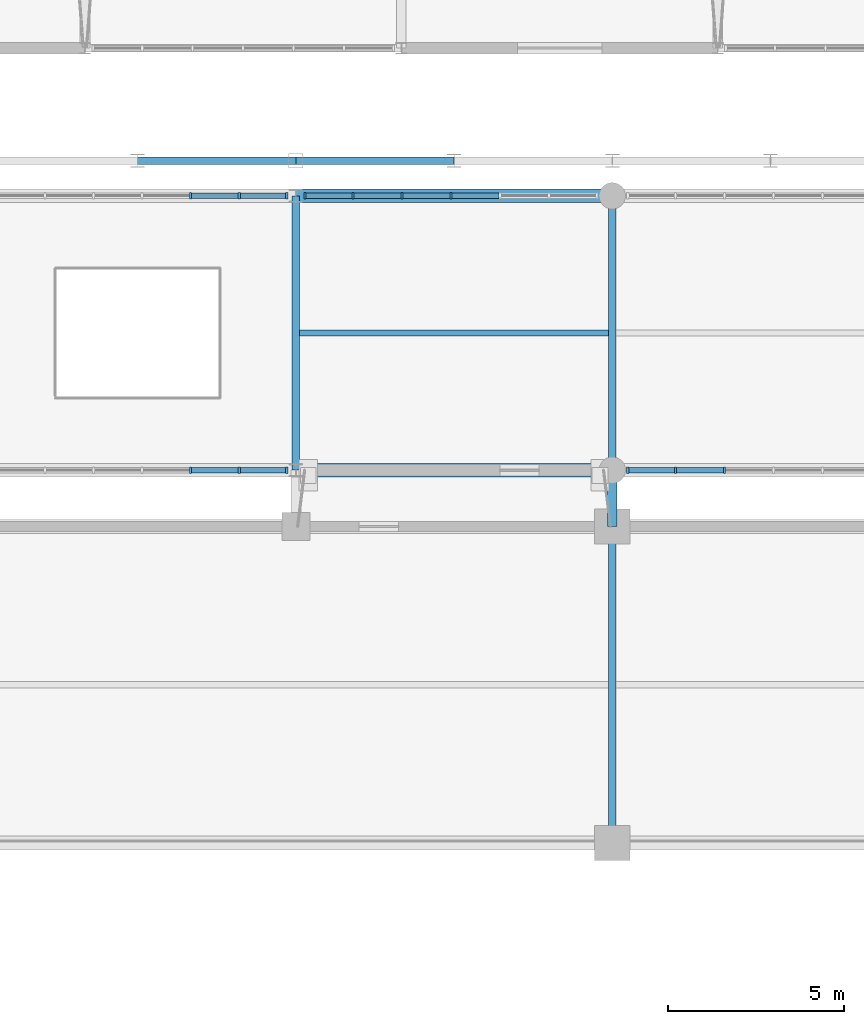
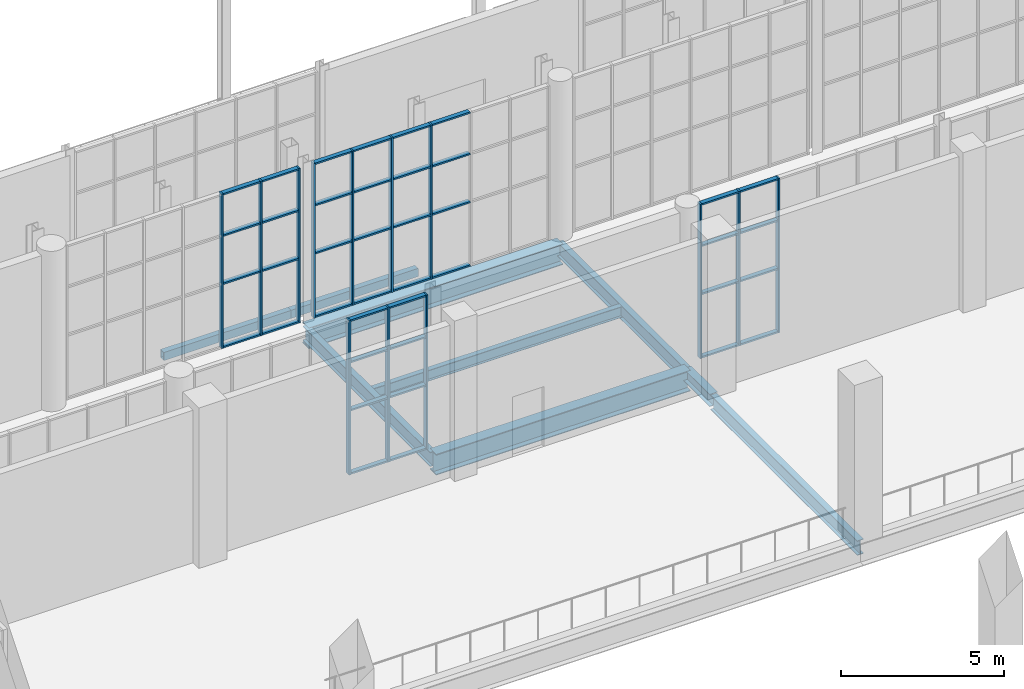
# One storey, part 43 of 159: 53 members, 9 beams, 4 elements without a shape of their own.
"""IFC4 building model written with IfcOpenShell, lengths in metres."""

from ifc_helpers import new_model, si_unit, direction, frame, origin, origin_2d, place, context, subcontext, project, spatial, rectangle, hollow_rectangle, i_section, extrude, material, layer, layer_set, material_profile, profile_set, type_object, element, aggregate, save


model = new_model("IFC4")

# Units and contexts
model_context = context("Model", 3, precision=1e-05, world=origin(), true_north=direction((0.0, 1.0)))
body_context = subcontext(model_context, "Body", "Model", "MODEL_VIEW")
ifc_project = project(units=[si_unit("LENGTHUNIT", "METRE"), si_unit("AREAUNIT", "SQUARE_METRE"), si_unit("VOLUMEUNIT", "CUBIC_METRE"), si_unit("PLANEANGLEUNIT", "RADIAN"), si_unit("MASSUNIT", "GRAM", prefix="KILO")], contexts=[model_context])

# Site, building, storey
site_placement = place(None, origin())
site = spatial("IfcSite", under=ifc_project, at=site_placement, CompositionType="ELEMENT")
building_placement = place(site_placement, origin())
building = spatial("IfcBuilding", under=site, at=building_placement, Name="Cazmaro Siding Exhibition Halls", CompositionType="ELEMENT")
storey_placement = place(building_placement, frame((0.0, 0.0, 6.0)))
storey = spatial("IfcBuildingStorey", under=building, at=storey_placement, Name="L01", CompositionType="ELEMENT", Elevation=6.0)

# Beams
ifc_material_1 = material(Name="Steel ASTM A992 Grade 50", Category="steel")
ifc_material_profile_1 = material_profile(ifc_material_1, i_section(OverallWidth=0.214111328125, OverallDepth=0.549072265625, WebThickness=0.014892578125, FlangeThickness=0.02392578125, at=origin_2d()), Name="W21X93")
ifc_profile_set_1 = profile_set([ifc_material_profile_1], Name="Steel ASTM A992 Grade 50")
beam_type_1 = type_object("IfcBeamType", Name="B-01", PredefinedType="BEAM", material=ifc_profile_set_1)
beam_1_placement = place(storey_placement, frame((108.0, 44.60009765625, -0.52392578125), z_axis=(0.0, 1.0, 0.0), x_axis=(-1.0, 0.0, 0.0)))
element("IfcBeam", 1, at=beam_1_placement, inside=storey, type_object=beam_type_1, Name="Beam B-01 BM-1281", PredefinedType="BEAM", context=body_context, shape_type="SweptSolid", body=[
    extrude(i_section(OverallWidth=0.214111328125, OverallDepth=0.549072265625, WebThickness=0.014892578125, FlangeThickness=0.02392578125, at=origin_2d()), origin(), (0.0, 0.0, 1.0), 9.0),
])
ifc_material_2 = material(Name="Steel ASTM A992 Grade 50", Category="steel")
ifc_material_profile_2 = material_profile(ifc_material_2, i_section(OverallWidth=0.2099609375, OverallDepth=0.535888671875, WebThickness=0.010986328125, FlangeThickness=0.01708984375, at=origin_2d()), Name="W21X68")
ifc_profile_set_2 = profile_set([ifc_material_profile_2], Name="Steel ASTM A992 Grade 50")
beam_type_2 = type_object("IfcBeamType", Name="B-02", PredefinedType="BEAM", material=ifc_profile_set_2)
for number, where, z_axis, x_axis, name in (
    (2, (99.0, 55.199951171875, -0.488037109375), (0.0, 1.0, 0.0), (-1.0, 0.0, 0.0), "Beam B-02 BM-1705"),
    (3, (108.0, 55.199951171875, -0.488037109375), (0.0, 1.0, 0.0), (-1.0, 0.0, 0.0), "Beam B-02 BM-1708"),
):
    element("IfcBeam", number, at=place(storey_placement, frame(where, z_axis=z_axis, x_axis=x_axis)), inside=storey, type_object=beam_type_2, Name=name, PredefinedType="BEAM", context=body_context, shape_type="SweptSolid", body=[
        extrude(i_section(OverallWidth=0.2099609375, OverallDepth=0.535888671875, WebThickness=0.010986328125, FlangeThickness=0.01708984375, at=origin_2d()), origin(), (0.0, 0.0, 1.0), 7.800048828125),
    ])
ifc_material_3 = material(Name="Steel ASTM A992 Grade 50", Category="steel")
ifc_material_profile_3 = material_profile(ifc_material_3, i_section(OverallWidth=0.279052734375, OverallDepth=0.4619140625, WebThickness=0.010986328125, FlangeThickness=0.01708984375, at=origin_2d()), Name="W18X76")
ifc_profile_set_3 = profile_set([ifc_material_profile_3], Name="Steel ASTM A992 Grade 50")
beam_type_3 = type_object("IfcBeamType", Name="B-03", PredefinedType="BEAM", material=ifc_profile_set_3)
beam_2_placement = place(storey_placement, frame((108.0, 53.60009765625, -0.450927734375), z_axis=(0.0, 1.0, 0.0), x_axis=(-1.0, 0.0, 0.0)))
element("IfcBeam", 4, at=beam_2_placement, inside=storey, type_object=beam_type_3, Name="Beam B-03 BM-2527", PredefinedType="BEAM", context=body_context, shape_type="SweptSolid", body=[
    extrude(i_section(OverallWidth=0.279052734375, OverallDepth=0.4619140625, WebThickness=0.010986328125, FlangeThickness=0.01708984375, at=origin_2d()), origin(), (0.0, 0.0, 1.0), 1.599853515625),
])

# Curtain wall, members
ifc_material_4 = material(Name="Anodized Bronze Aluminum and Solar-Control Low-E Glazing", Category="aluminium")
ifc_layer = layer(ifc_material_4, 0.179931640625)
ifc_layer_set = layer_set([ifc_layer], Name="Anodized Bronze Aluminum and Solar-Control Low-E Glazing")
curtain_wall_type = type_object("IfcCurtainWallType", Name="CWS-01", PredefinedType="USERDEFINED", material=ifc_layer_set)
curtain_wall_1_placement = place(storey_placement, origin())
curtain_wall_1 = element("IfcCurtainWall", 5, at=curtain_wall_1_placement, inside=storey, type_object=curtain_wall_type, Name="Glazed Curtain Wall CWS-01 CW-172", ObjectType="GLAZED CURTAIN WALL", PredefinedType="USERDEFINED")
ifc_material_5 = material(Name="Anodized Bronze Extruded Aluminum", Category="aluminium")
ifc_material_profile_4 = material_profile(ifc_material_5, rectangle(XDim=0.179931640625, YDim=0.06005859375, at=origin_2d()), Name="CWM-01")
ifc_profile_set_4 = profile_set([ifc_material_profile_4], Name="Anodized Bronze Extruded Aluminum")
member_type_1 = type_object("IfcMemberType", Name="CWM-01", PredefinedType="MULLION", material=ifc_profile_set_4)
member_1_placement = place(storey_placement, frame((96.007568359375, 55.199951171875, 0.0), z_axis=(0.0, 0.0, 1.0), x_axis=(0.0, 1.0, 0.0)))
member_1 = element("IfcMember", 6, at=member_1_placement, type_object=member_type_1, Name="CWS-01 mullion 5", PredefinedType="MULLION", context=body_context, shape_type="SweptSolid", body=[
    extrude(rectangle(XDim=0.179931640625, YDim=0.06005859375, at=origin_2d()), origin(), (0.0, 0.0, 1.0), 5.780029296875),
])
member_2_placement = place(storey_placement, frame((97.388916015625, 55.199951171875, 0.0), z_axis=(0.0, 0.0, 1.0), x_axis=(0.0, 1.0, 0.0)))
member_2 = element("IfcMember", 7, at=member_2_placement, type_object=member_type_1, Name="CWS-01 mullion 6", PredefinedType="MULLION", context=body_context, shape_type="SweptSolid", body=[
    extrude(rectangle(XDim=0.179931640625, YDim=0.06005859375, at=origin_2d()), origin(), (0.0, 0.0, 1.0), 5.780029296875),
])
member_3_placement = place(storey_placement, frame((98.739990234375, 55.199951171875, 0.0), z_axis=(0.0, 0.0, 1.0), x_axis=(0.0, 1.0, 0.0)))
member_3 = element("IfcMember", 8, at=member_3_placement, type_object=member_type_1, Name="CWS-01 mullion 7", PredefinedType="MULLION", context=body_context, shape_type="SweptSolid", body=[
    extrude(rectangle(XDim=0.179931640625, YDim=0.06005859375, at=origin_2d()), origin(), (0.0, 0.0, 1.0), 5.780029296875),
])

curtain_wall_2_placement = place(storey_placement, origin())
curtain_wall_2 = element("IfcCurtainWall", 9, at=curtain_wall_2_placement, inside=storey, type_object=curtain_wall_type, Name="Glazed Curtain Wall CWS-01 CW-174", ObjectType="GLAZED CURTAIN WALL", PredefinedType="USERDEFINED")
member_4_placement = place(storey_placement, frame((98.739990234375, 63.0, 0.0), z_axis=(0.0, 0.0, 1.0), x_axis=(0.0, -1.0, 0.0)))
member_4 = element("IfcMember", 10, at=member_4_placement, type_object=member_type_1, Name="CWS-01 mullion 1", PredefinedType="MULLION", context=body_context, shape_type="SweptSolid", body=[
    extrude(rectangle(XDim=0.179931640625, YDim=0.06005859375, at=origin_2d()), origin(), (0.0, 0.0, 1.0), 5.780029296875),
])
member_5_placement = place(storey_placement, frame((97.388916015625, 63.0, 0.0), z_axis=(0.0, 0.0, 1.0), x_axis=(0.0, -1.0, 0.0)))
member_5 = element("IfcMember", 11, at=member_5_placement, type_object=member_type_1, Name="CWS-01 mullion 2", PredefinedType="MULLION", context=body_context, shape_type="SweptSolid", body=[
    extrude(rectangle(XDim=0.179931640625, YDim=0.06005859375, at=origin_2d()), origin(), (0.0, 0.0, 1.0), 5.780029296875),
])
member_6_placement = place(storey_placement, frame((96.007568359375, 63.0, 0.0), z_axis=(0.0, 0.0, 1.0), x_axis=(0.0, -1.0, 0.0)))
member_6 = element("IfcMember", 12, at=member_6_placement, type_object=member_type_1, Name="CWS-01 mullion 3", PredefinedType="MULLION", context=body_context, shape_type="SweptSolid", body=[
    extrude(rectangle(XDim=0.179931640625, YDim=0.06005859375, at=origin_2d()), origin(), (0.0, 0.0, 1.0), 5.780029296875),
])

curtain_wall_3_placement = place(storey_placement, origin())
curtain_wall_3 = element("IfcCurtainWall", 13, at=curtain_wall_3_placement, inside=storey, type_object=curtain_wall_type, Name="Glazed Curtain Wall CWS-01 CW-177", ObjectType="GLAZED CURTAIN WALL", PredefinedType="USERDEFINED")
member_7_placement = place(storey_placement, frame((103.410888671875, 63.0, 0.0), z_axis=(0.0, 0.0, 1.0), x_axis=(0.0, -1.0, 0.0)))
member_7 = element("IfcMember", 14, at=member_7_placement, type_object=member_type_1, Name="CWS-01 mullion 4", PredefinedType="MULLION", context=body_context, shape_type="SweptSolid", body=[
    extrude(rectangle(XDim=0.179931640625, YDim=0.06005859375, at=origin_2d()), origin(), (0.0, 0.0, 1.0), 5.780029296875),
])
member_8_placement = place(storey_placement, frame((102.017333984375, 63.0, 0.0), z_axis=(0.0, 0.0, 1.0), x_axis=(0.0, -1.0, 0.0)))
member_8 = element("IfcMember", 15, at=member_8_placement, type_object=member_type_1, Name="CWS-01 mullion 5", PredefinedType="MULLION", context=body_context, shape_type="SweptSolid", body=[
    extrude(rectangle(XDim=0.179931640625, YDim=0.06005859375, at=origin_2d()), origin(), (0.0, 0.0, 1.0), 5.780029296875),
])
member_9_placement = place(storey_placement, frame((100.623779296875, 63.0, 0.0), z_axis=(0.0, 0.0, 1.0), x_axis=(0.0, -1.0, 0.0)))
member_9 = element("IfcMember", 16, at=member_9_placement, type_object=member_type_1, Name="CWS-01 mullion 6", PredefinedType="MULLION", context=body_context, shape_type="SweptSolid", body=[
    extrude(rectangle(XDim=0.179931640625, YDim=0.06005859375, at=origin_2d()), origin(), (0.0, 0.0, 1.0), 5.780029296875),
])
member_10_placement = place(storey_placement, frame((99.260009765625, 63.0, 0.0), z_axis=(0.0, 0.0, 1.0), x_axis=(0.0, -1.0, 0.0)))
member_10 = element("IfcMember", 17, at=member_10_placement, type_object=member_type_1, Name="CWS-01 mullion 7", PredefinedType="MULLION", context=body_context, shape_type="SweptSolid", body=[
    extrude(rectangle(XDim=0.179931640625, YDim=0.06005859375, at=origin_2d()), origin(), (0.0, 0.0, 1.0), 5.780029296875),
])

curtain_wall_4_placement = place(storey_placement, origin())
curtain_wall_4 = element("IfcCurtainWall", 18, at=curtain_wall_4_placement, inside=storey, type_object=curtain_wall_type, Name="Glazed Curtain Wall CWS-01 CW-181", ObjectType="GLAZED CURTAIN WALL", PredefinedType="USERDEFINED")
member_11_placement = place(storey_placement, frame((108.43798828125, 55.199951171875, 0.0), z_axis=(0.0, 0.0, 1.0), x_axis=(0.0, 1.0, 0.0)))
member_11 = element("IfcMember", 19, at=member_11_placement, type_object=member_type_1, Name="CWS-01 mullion 1", PredefinedType="MULLION", context=body_context, shape_type="SweptSolid", body=[
    extrude(rectangle(XDim=0.179931640625, YDim=0.06005859375, at=origin_2d()), origin(), (0.0, 0.0, 1.0), 5.780029296875),
])
member_12_placement = place(storey_placement, frame((109.8017578125, 55.199951171875, 0.0), z_axis=(0.0, 0.0, 1.0), x_axis=(0.0, 1.0, 0.0)))
member_12 = element("IfcMember", 20, at=member_12_placement, type_object=member_type_1, Name="CWS-01 mullion 2", PredefinedType="MULLION", context=body_context, shape_type="SweptSolid", body=[
    extrude(rectangle(XDim=0.179931640625, YDim=0.06005859375, at=origin_2d()), origin(), (0.0, 0.0, 1.0), 5.780029296875),
])
member_13_placement = place(storey_placement, frame((111.1953125, 55.199951171875, 0.0), z_axis=(0.0, 0.0, 1.0), x_axis=(0.0, 1.0, 0.0)))
member_13 = element("IfcMember", 21, at=member_13_placement, type_object=member_type_1, Name="CWS-01 mullion 3", PredefinedType="MULLION", context=body_context, shape_type="SweptSolid", body=[
    extrude(rectangle(XDim=0.179931640625, YDim=0.06005859375, at=origin_2d()), origin(), (0.0, 0.0, 1.0), 5.780029296875),
])

# Member
ifc_material_6 = material(Name="Anodized Bronze Extruded Aluminum", Category="aluminium")
ifc_material_profile_5 = material_profile(ifc_material_6, rectangle(XDim=0.159912109375, YDim=0.06005859375, at=origin_2d()), Name="CWT-01")
ifc_profile_set_5 = profile_set([ifc_material_profile_5], Name="Anodized Bronze Extruded Aluminum")
member_type_2 = type_object("IfcMemberType", Name="CWT-01", PredefinedType="MULLION", material=ifc_profile_set_5)
member_14_placement = place(storey_placement, frame((96.03759765625, 55.199951171875, 0.030029296875), z_axis=(1.0, 0.0, 0.0), x_axis=(0.0, 1.0, 0.0)))
member_14 = element("IfcMember", 22, at=member_14_placement, type_object=member_type_2, Name="CWS-01 transom 5.1", ObjectType="TRANSOM", PredefinedType="USERDEFINED", context=body_context, shape_type="SweptSolid", body=[
    extrude(rectangle(XDim=0.159912109375, YDim=0.06005859375, at=origin_2d()), origin(), (0.0, 0.0, 1.0), 1.3212890625),
])

member_15_placement = place(storey_placement, frame((96.03759765625, 55.199951171875, 2.39990234375), z_axis=(1.0, 0.0, 0.0), x_axis=(0.0, 1.0, 0.0)))
member_15 = element("IfcMember", 23, at=member_15_placement, type_object=member_type_2, Name="CWS-01 transom 5.2", ObjectType="TRANSOM", PredefinedType="USERDEFINED", context=body_context, shape_type="SweptSolid", body=[
    extrude(rectangle(XDim=0.159912109375, YDim=0.06005859375, at=origin_2d()), origin(), (0.0, 0.0, 1.0), 1.3212890625),
])

member_16_placement = place(storey_placement, frame((96.03759765625, 55.199951171875, 4.199951171875), z_axis=(1.0, 0.0, 0.0), x_axis=(0.0, 1.0, 0.0)))
member_16 = element("IfcMember", 24, at=member_16_placement, type_object=member_type_2, Name="CWS-01 transom 5.3", ObjectType="TRANSOM", PredefinedType="USERDEFINED", context=body_context, shape_type="SweptSolid", body=[
    extrude(rectangle(XDim=0.159912109375, YDim=0.06005859375, at=origin_2d()), origin(), (0.0, 0.0, 1.0), 1.3212890625),
])

member_17_placement = place(storey_placement, frame((96.03759765625, 55.199951171875, 5.75), z_axis=(1.0, 0.0, 0.0), x_axis=(0.0, 1.0, 0.0)))
member_17 = element("IfcMember", 25, at=member_17_placement, type_object=member_type_2, Name="CWS-01 transom 5.4", ObjectType="TRANSOM", PredefinedType="USERDEFINED", context=body_context, shape_type="SweptSolid", body=[
    extrude(rectangle(XDim=0.159912109375, YDim=0.06005859375, at=origin_2d()), origin(), (0.0, 0.0, 1.0), 1.3212890625),
])

member_18_placement = place(storey_placement, frame((97.4189453125, 55.199951171875, 0.030029296875), z_axis=(1.0, 0.0, 0.0), x_axis=(0.0, 1.0, 0.0)))
member_18 = element("IfcMember", 26, at=member_18_placement, type_object=member_type_2, Name="CWS-01 transom 6.1", ObjectType="TRANSOM", PredefinedType="USERDEFINED", context=body_context, shape_type="SweptSolid", body=[
    extrude(rectangle(XDim=0.159912109375, YDim=0.06005859375, at=origin_2d()), origin(), (0.0, 0.0, 1.0), 1.291015625),
])

member_19_placement = place(storey_placement, frame((97.4189453125, 55.199951171875, 2.39990234375), z_axis=(1.0, 0.0, 0.0), x_axis=(0.0, 1.0, 0.0)))
member_19 = element("IfcMember", 27, at=member_19_placement, type_object=member_type_2, Name="CWS-01 transom 6.2", ObjectType="TRANSOM", PredefinedType="USERDEFINED", context=body_context, shape_type="SweptSolid", body=[
    extrude(rectangle(XDim=0.159912109375, YDim=0.06005859375, at=origin_2d()), origin(), (0.0, 0.0, 1.0), 1.291015625),
])

member_20_placement = place(storey_placement, frame((97.4189453125, 55.199951171875, 4.199951171875), z_axis=(1.0, 0.0, 0.0), x_axis=(0.0, 1.0, 0.0)))
member_20 = element("IfcMember", 28, at=member_20_placement, type_object=member_type_2, Name="CWS-01 transom 6.3", ObjectType="TRANSOM", PredefinedType="USERDEFINED", context=body_context, shape_type="SweptSolid", body=[
    extrude(rectangle(XDim=0.159912109375, YDim=0.06005859375, at=origin_2d()), origin(), (0.0, 0.0, 1.0), 1.291015625),
])

member_21_placement = place(storey_placement, frame((97.4189453125, 55.199951171875, 5.75), z_axis=(1.0, 0.0, 0.0), x_axis=(0.0, 1.0, 0.0)))
member_21 = element("IfcMember", 29, at=member_21_placement, type_object=member_type_2, Name="CWS-01 transom 6.4", ObjectType="TRANSOM", PredefinedType="USERDEFINED", context=body_context, shape_type="SweptSolid", body=[
    extrude(rectangle(XDim=0.159912109375, YDim=0.06005859375, at=origin_2d()), origin(), (0.0, 0.0, 1.0), 1.291015625),
])

aggregate(curtain_wall_1, [member_1, member_2, member_3, member_14, member_15, member_16, member_17, member_18, member_19, member_20, member_21])

member_22_placement = place(storey_placement, frame((98.7099609375, 63.0, 0.030029296875), z_axis=(-1.0, 0.0, 0.0), x_axis=(0.0, -1.0, 0.0)))
member_22 = element("IfcMember", 30, at=member_22_placement, type_object=member_type_2, Name="CWS-01 transom 1.1", ObjectType="TRANSOM", PredefinedType="USERDEFINED", context=body_context, shape_type="SweptSolid", body=[
    extrude(rectangle(XDim=0.159912109375, YDim=0.06005859375, at=origin_2d()), origin(), (0.0, 0.0, 1.0), 1.291015625),
])

member_23_placement = place(storey_placement, frame((98.7099609375, 63.0, 2.39990234375), z_axis=(-1.0, 0.0, 0.0), x_axis=(0.0, -1.0, 0.0)))
member_23 = element("IfcMember", 31, at=member_23_placement, type_object=member_type_2, Name="CWS-01 transom 1.2", ObjectType="TRANSOM", PredefinedType="USERDEFINED", context=body_context, shape_type="SweptSolid", body=[
    extrude(rectangle(XDim=0.159912109375, YDim=0.06005859375, at=origin_2d()), origin(), (0.0, 0.0, 1.0), 1.291015625),
])

member_24_placement = place(storey_placement, frame((98.7099609375, 63.0, 4.199951171875), z_axis=(-1.0, 0.0, 0.0), x_axis=(0.0, -1.0, 0.0)))
member_24 = element("IfcMember", 32, at=member_24_placement, type_object=member_type_2, Name="CWS-01 transom 1.3", ObjectType="TRANSOM", PredefinedType="USERDEFINED", context=body_context, shape_type="SweptSolid", body=[
    extrude(rectangle(XDim=0.159912109375, YDim=0.06005859375, at=origin_2d()), origin(), (0.0, 0.0, 1.0), 1.291015625),
])

member_25_placement = place(storey_placement, frame((98.7099609375, 63.0, 5.75), z_axis=(-1.0, 0.0, 0.0), x_axis=(0.0, -1.0, 0.0)))
member_25 = element("IfcMember", 33, at=member_25_placement, type_object=member_type_2, Name="CWS-01 transom 1.4", ObjectType="TRANSOM", PredefinedType="USERDEFINED", context=body_context, shape_type="SweptSolid", body=[
    extrude(rectangle(XDim=0.159912109375, YDim=0.06005859375, at=origin_2d()), origin(), (0.0, 0.0, 1.0), 1.291015625),
])

member_26_placement = place(storey_placement, frame((97.35888671875, 63.0, 0.030029296875), z_axis=(-1.0, 0.0, 0.0), x_axis=(0.0, -1.0, 0.0)))
member_26 = element("IfcMember", 34, at=member_26_placement, type_object=member_type_2, Name="CWS-01 transom 2.1", ObjectType="TRANSOM", PredefinedType="USERDEFINED", context=body_context, shape_type="SweptSolid", body=[
    extrude(rectangle(XDim=0.159912109375, YDim=0.06005859375, at=origin_2d()), origin(), (0.0, 0.0, 1.0), 1.3212890625),
])

member_27_placement = place(storey_placement, frame((97.35888671875, 63.0, 2.39990234375), z_axis=(-1.0, 0.0, 0.0), x_axis=(0.0, -1.0, 0.0)))
member_27 = element("IfcMember", 35, at=member_27_placement, type_object=member_type_2, Name="CWS-01 transom 2.2", ObjectType="TRANSOM", PredefinedType="USERDEFINED", context=body_context, shape_type="SweptSolid", body=[
    extrude(rectangle(XDim=0.159912109375, YDim=0.06005859375, at=origin_2d()), origin(), (0.0, 0.0, 1.0), 1.3212890625),
])

member_28_placement = place(storey_placement, frame((97.35888671875, 63.0, 4.199951171875), z_axis=(-1.0, 0.0, 0.0), x_axis=(0.0, -1.0, 0.0)))
member_28 = element("IfcMember", 36, at=member_28_placement, type_object=member_type_2, Name="CWS-01 transom 2.3", ObjectType="TRANSOM", PredefinedType="USERDEFINED", context=body_context, shape_type="SweptSolid", body=[
    extrude(rectangle(XDim=0.159912109375, YDim=0.06005859375, at=origin_2d()), origin(), (0.0, 0.0, 1.0), 1.3212890625),
])

member_29_placement = place(storey_placement, frame((97.35888671875, 63.0, 5.75), z_axis=(-1.0, 0.0, 0.0), x_axis=(0.0, -1.0, 0.0)))
member_29 = element("IfcMember", 37, at=member_29_placement, type_object=member_type_2, Name="CWS-01 transom 2.4", ObjectType="TRANSOM", PredefinedType="USERDEFINED", context=body_context, shape_type="SweptSolid", body=[
    extrude(rectangle(XDim=0.159912109375, YDim=0.06005859375, at=origin_2d()), origin(), (0.0, 0.0, 1.0), 1.3212890625),
])

aggregate(curtain_wall_2, [member_4, member_5, member_6, member_22, member_23, member_24, member_25, member_26, member_27, member_28, member_29])

member_30_placement = place(storey_placement, frame((104.774658203125, 63.0, 0.030029296875), z_axis=(-1.0, 0.0, 0.0), x_axis=(0.0, -1.0, 0.0)))
member_30 = element("IfcMember", 38, at=member_30_placement, type_object=member_type_2, Name="CWS-01 transom 3.1", ObjectType="TRANSOM", PredefinedType="USERDEFINED", context=body_context, shape_type="SweptSolid", body=[
    extrude(rectangle(XDim=0.159912109375, YDim=0.06005859375, at=origin_2d()), origin(), (0.0, 0.0, 1.0), 1.333740234375),
])

member_31_placement = place(storey_placement, frame((104.774658203125, 63.0, 2.39990234375), z_axis=(-1.0, 0.0, 0.0), x_axis=(0.0, -1.0, 0.0)))
member_31 = element("IfcMember", 39, at=member_31_placement, type_object=member_type_2, Name="CWS-01 transom 3.2", ObjectType="TRANSOM", PredefinedType="USERDEFINED", context=body_context, shape_type="SweptSolid", body=[
    extrude(rectangle(XDim=0.159912109375, YDim=0.06005859375, at=origin_2d()), origin(), (0.0, 0.0, 1.0), 1.333740234375),
])

member_32_placement = place(storey_placement, frame((104.774658203125, 63.0, 4.199951171875), z_axis=(-1.0, 0.0, 0.0), x_axis=(0.0, -1.0, 0.0)))
member_32 = element("IfcMember", 40, at=member_32_placement, type_object=member_type_2, Name="CWS-01 transom 3.3", ObjectType="TRANSOM", PredefinedType="USERDEFINED", context=body_context, shape_type="SweptSolid", body=[
    extrude(rectangle(XDim=0.159912109375, YDim=0.06005859375, at=origin_2d()), origin(), (0.0, 0.0, 1.0), 1.333740234375),
])

member_33_placement = place(storey_placement, frame((104.774658203125, 63.0, 5.75), z_axis=(-1.0, 0.0, 0.0), x_axis=(0.0, -1.0, 0.0)))
member_33 = element("IfcMember", 41, at=member_33_placement, type_object=member_type_2, Name="CWS-01 transom 3.4", ObjectType="TRANSOM", PredefinedType="USERDEFINED", context=body_context, shape_type="SweptSolid", body=[
    extrude(rectangle(XDim=0.159912109375, YDim=0.06005859375, at=origin_2d()), origin(), (0.0, 0.0, 1.0), 1.333740234375),
])

member_34_placement = place(storey_placement, frame((103.381103515625, 63.0, 0.030029296875), z_axis=(-1.0, 0.0, 0.0), x_axis=(0.0, -1.0, 0.0)))
member_34 = element("IfcMember", 42, at=member_34_placement, type_object=member_type_2, Name="CWS-01 transom 4.1", ObjectType="TRANSOM", PredefinedType="USERDEFINED", context=body_context, shape_type="SweptSolid", body=[
    extrude(rectangle(XDim=0.159912109375, YDim=0.06005859375, at=origin_2d()), origin(), (0.0, 0.0, 1.0), 1.333740234375),
])

member_35_placement = place(storey_placement, frame((103.381103515625, 63.0, 2.39990234375), z_axis=(-1.0, 0.0, 0.0), x_axis=(0.0, -1.0, 0.0)))
member_35 = element("IfcMember", 43, at=member_35_placement, type_object=member_type_2, Name="CWS-01 transom 4.2", ObjectType="TRANSOM", PredefinedType="USERDEFINED", context=body_context, shape_type="SweptSolid", body=[
    extrude(rectangle(XDim=0.159912109375, YDim=0.06005859375, at=origin_2d()), origin(), (0.0, 0.0, 1.0), 1.333740234375),
])

member_36_placement = place(storey_placement, frame((103.381103515625, 63.0, 4.199951171875), z_axis=(-1.0, 0.0, 0.0), x_axis=(0.0, -1.0, 0.0)))
member_36 = element("IfcMember", 44, at=member_36_placement, type_object=member_type_2, Name="CWS-01 transom 4.3", ObjectType="TRANSOM", PredefinedType="USERDEFINED", context=body_context, shape_type="SweptSolid", body=[
    extrude(rectangle(XDim=0.159912109375, YDim=0.06005859375, at=origin_2d()), origin(), (0.0, 0.0, 1.0), 1.333740234375),
])

member_37_placement = place(storey_placement, frame((103.381103515625, 63.0, 5.75), z_axis=(-1.0, 0.0, 0.0), x_axis=(0.0, -1.0, 0.0)))
member_37 = element("IfcMember", 45, at=member_37_placement, type_object=member_type_2, Name="CWS-01 transom 4.4", ObjectType="TRANSOM", PredefinedType="USERDEFINED", context=body_context, shape_type="SweptSolid", body=[
    extrude(rectangle(XDim=0.159912109375, YDim=0.06005859375, at=origin_2d()), origin(), (0.0, 0.0, 1.0), 1.333740234375),
])

member_38_placement = place(storey_placement, frame((101.9873046875, 63.0, 0.030029296875), z_axis=(-1.0, 0.0, 0.0), x_axis=(0.0, -1.0, 0.0)))
member_38 = element("IfcMember", 46, at=member_38_placement, type_object=member_type_2, Name="CWS-01 transom 5.1", ObjectType="TRANSOM", PredefinedType="USERDEFINED", context=body_context, shape_type="SweptSolid", body=[
    extrude(rectangle(XDim=0.159912109375, YDim=0.06005859375, at=origin_2d()), origin(), (0.0, 0.0, 1.0), 1.333740234375),
])

member_39_placement = place(storey_placement, frame((101.9873046875, 63.0, 2.39990234375), z_axis=(-1.0, 0.0, 0.0), x_axis=(0.0, -1.0, 0.0)))
member_39 = element("IfcMember", 47, at=member_39_placement, type_object=member_type_2, Name="CWS-01 transom 5.2", ObjectType="TRANSOM", PredefinedType="USERDEFINED", context=body_context, shape_type="SweptSolid", body=[
    extrude(rectangle(XDim=0.159912109375, YDim=0.06005859375, at=origin_2d()), origin(), (0.0, 0.0, 1.0), 1.333740234375),
])

member_40_placement = place(storey_placement, frame((101.9873046875, 63.0, 4.199951171875), z_axis=(-1.0, 0.0, 0.0), x_axis=(0.0, -1.0, 0.0)))
member_40 = element("IfcMember", 48, at=member_40_placement, type_object=member_type_2, Name="CWS-01 transom 5.3", ObjectType="TRANSOM", PredefinedType="USERDEFINED", context=body_context, shape_type="SweptSolid", body=[
    extrude(rectangle(XDim=0.159912109375, YDim=0.06005859375, at=origin_2d()), origin(), (0.0, 0.0, 1.0), 1.333740234375),
])

member_41_placement = place(storey_placement, frame((101.9873046875, 63.0, 5.75), z_axis=(-1.0, 0.0, 0.0), x_axis=(0.0, -1.0, 0.0)))
member_41 = element("IfcMember", 49, at=member_41_placement, type_object=member_type_2, Name="CWS-01 transom 5.4", ObjectType="TRANSOM", PredefinedType="USERDEFINED", context=body_context, shape_type="SweptSolid", body=[
    extrude(rectangle(XDim=0.159912109375, YDim=0.06005859375, at=origin_2d()), origin(), (0.0, 0.0, 1.0), 1.333740234375),
])

member_42_placement = place(storey_placement, frame((100.59375, 63.0, 0.030029296875), z_axis=(-1.0, 0.0, 0.0), x_axis=(0.0, -1.0, 0.0)))
member_42 = element("IfcMember", 50, at=member_42_placement, type_object=member_type_2, Name="CWS-01 transom 6.1", ObjectType="TRANSOM", PredefinedType="USERDEFINED", context=body_context, shape_type="SweptSolid", body=[
    extrude(rectangle(XDim=0.159912109375, YDim=0.06005859375, at=origin_2d()), origin(), (0.0, 0.0, 1.0), 1.3037109375),
])

member_43_placement = place(storey_placement, frame((100.59375, 63.0, 2.39990234375), z_axis=(-1.0, 0.0, 0.0), x_axis=(0.0, -1.0, 0.0)))
member_43 = element("IfcMember", 51, at=member_43_placement, type_object=member_type_2, Name="CWS-01 transom 6.2", ObjectType="TRANSOM", PredefinedType="USERDEFINED", context=body_context, shape_type="SweptSolid", body=[
    extrude(rectangle(XDim=0.159912109375, YDim=0.06005859375, at=origin_2d()), origin(), (0.0, 0.0, 1.0), 1.3037109375),
])

member_44_placement = place(storey_placement, frame((100.59375, 63.0, 4.199951171875), z_axis=(-1.0, 0.0, 0.0), x_axis=(0.0, -1.0, 0.0)))
member_44 = element("IfcMember", 52, at=member_44_placement, type_object=member_type_2, Name="CWS-01 transom 6.3", ObjectType="TRANSOM", PredefinedType="USERDEFINED", context=body_context, shape_type="SweptSolid", body=[
    extrude(rectangle(XDim=0.159912109375, YDim=0.06005859375, at=origin_2d()), origin(), (0.0, 0.0, 1.0), 1.3037109375),
])

member_45_placement = place(storey_placement, frame((100.59375, 63.0, 5.75), z_axis=(-1.0, 0.0, 0.0), x_axis=(0.0, -1.0, 0.0)))
member_45 = element("IfcMember", 53, at=member_45_placement, type_object=member_type_2, Name="CWS-01 transom 6.4", ObjectType="TRANSOM", PredefinedType="USERDEFINED", context=body_context, shape_type="SweptSolid", body=[
    extrude(rectangle(XDim=0.159912109375, YDim=0.06005859375, at=origin_2d()), origin(), (0.0, 0.0, 1.0), 1.3037109375),
])

aggregate(curtain_wall_3, [member_7, member_8, member_9, member_10, member_30, member_31, member_32, member_33, member_34, member_35, member_36, member_37, member_38, member_39, member_40, member_41, member_42, member_43, member_44, member_45])

member_46_placement = place(storey_placement, frame((108.468017578125, 55.199951171875, 0.030029296875), z_axis=(1.0, 0.0, 0.0), x_axis=(0.0, 1.0, 0.0)))
member_46 = element("IfcMember", 54, at=member_46_placement, type_object=member_type_2, Name="CWS-01 transom 1.1", ObjectType="TRANSOM", PredefinedType="USERDEFINED", context=body_context, shape_type="SweptSolid", body=[
    extrude(rectangle(XDim=0.159912109375, YDim=0.06005859375, at=origin_2d()), origin(), (0.0, 0.0, 1.0), 1.3037109375),
])

member_47_placement = place(storey_placement, frame((108.468017578125, 55.199951171875, 2.39990234375), z_axis=(1.0, 0.0, 0.0), x_axis=(0.0, 1.0, 0.0)))
member_47 = element("IfcMember", 55, at=member_47_placement, type_object=member_type_2, Name="CWS-01 transom 1.2", ObjectType="TRANSOM", PredefinedType="USERDEFINED", context=body_context, shape_type="SweptSolid", body=[
    extrude(rectangle(XDim=0.159912109375, YDim=0.06005859375, at=origin_2d()), origin(), (0.0, 0.0, 1.0), 1.3037109375),
])

member_48_placement = place(storey_placement, frame((108.468017578125, 55.199951171875, 4.199951171875), z_axis=(1.0, 0.0, 0.0), x_axis=(0.0, 1.0, 0.0)))
member_48 = element("IfcMember", 56, at=member_48_placement, type_object=member_type_2, Name="CWS-01 transom 1.3", ObjectType="TRANSOM", PredefinedType="USERDEFINED", context=body_context, shape_type="SweptSolid", body=[
    extrude(rectangle(XDim=0.159912109375, YDim=0.06005859375, at=origin_2d()), origin(), (0.0, 0.0, 1.0), 1.3037109375),
])

member_49_placement = place(storey_placement, frame((108.468017578125, 55.199951171875, 5.75), z_axis=(1.0, 0.0, 0.0), x_axis=(0.0, 1.0, 0.0)))
member_49 = element("IfcMember", 57, at=member_49_placement, type_object=member_type_2, Name="CWS-01 transom 1.4", ObjectType="TRANSOM", PredefinedType="USERDEFINED", context=body_context, shape_type="SweptSolid", body=[
    extrude(rectangle(XDim=0.159912109375, YDim=0.06005859375, at=origin_2d()), origin(), (0.0, 0.0, 1.0), 1.3037109375),
])

member_50_placement = place(storey_placement, frame((109.831787109375, 55.199951171875, 0.030029296875), z_axis=(1.0, 0.0, 0.0), x_axis=(0.0, 1.0, 0.0)))
member_50 = element("IfcMember", 58, at=member_50_placement, type_object=member_type_2, Name="CWS-01 transom 2.1", ObjectType="TRANSOM", PredefinedType="USERDEFINED", context=body_context, shape_type="SweptSolid", body=[
    extrude(rectangle(XDim=0.159912109375, YDim=0.06005859375, at=origin_2d()), origin(), (0.0, 0.0, 1.0), 1.33349609375),
])

member_51_placement = place(storey_placement, frame((109.831787109375, 55.199951171875, 2.39990234375), z_axis=(1.0, 0.0, 0.0), x_axis=(0.0, 1.0, 0.0)))
member_51 = element("IfcMember", 59, at=member_51_placement, type_object=member_type_2, Name="CWS-01 transom 2.2", ObjectType="TRANSOM", PredefinedType="USERDEFINED", context=body_context, shape_type="SweptSolid", body=[
    extrude(rectangle(XDim=0.159912109375, YDim=0.06005859375, at=origin_2d()), origin(), (0.0, 0.0, 1.0), 1.33349609375),
])

member_52_placement = place(storey_placement, frame((109.831787109375, 55.199951171875, 4.199951171875), z_axis=(1.0, 0.0, 0.0), x_axis=(0.0, 1.0, 0.0)))
member_52 = element("IfcMember", 60, at=member_52_placement, type_object=member_type_2, Name="CWS-01 transom 2.3", ObjectType="TRANSOM", PredefinedType="USERDEFINED", context=body_context, shape_type="SweptSolid", body=[
    extrude(rectangle(XDim=0.159912109375, YDim=0.06005859375, at=origin_2d()), origin(), (0.0, 0.0, 1.0), 1.33349609375),
])

member_53_placement = place(storey_placement, frame((109.831787109375, 55.199951171875, 5.75), z_axis=(1.0, 0.0, 0.0), x_axis=(0.0, 1.0, 0.0)))
member_53 = element("IfcMember", 61, at=member_53_placement, type_object=member_type_2, Name="CWS-01 transom 2.4", ObjectType="TRANSOM", PredefinedType="USERDEFINED", context=body_context, shape_type="SweptSolid", body=[
    extrude(rectangle(XDim=0.159912109375, YDim=0.06005859375, at=origin_2d()), origin(), (0.0, 0.0, 1.0), 1.33349609375),
])

aggregate(curtain_wall_4, [member_11, member_12, member_13, member_46, member_47, member_48, member_49, member_50, member_51, member_52, member_53])

# Beams
ifc_material_7 = material(Name="Steel ASTM A992 Grade 50", Category="steel")
ifc_material_profile_6 = material_profile(ifc_material_7, i_section(OverallWidth=0.381103515625, OverallDepth=0.779052734375, WebThickness=0.01806640625, FlangeThickness=0.030029296875, at=origin_2d()), Name="W30X191")
ifc_profile_set_6 = profile_set([ifc_material_profile_6], Name="Steel ASTM A992 Grade 50")
beam_type_4 = type_object("IfcBeamType", Name="G-04", PredefinedType="USERDEFINED", material=ifc_profile_set_6)
for number, where, z_axis, x_axis, name in (
    (62, (99.0, 55.199951171875, -0.60888671875), (1.0, 0.0, 0.0), (0.0, 1.0, 0.0), "Beam G-04 BM-1626"),
    (63, (99.0, 63.0, -0.60888671875), (1.0, 0.0, 0.0), (0.0, 1.0, 0.0), "Beam G-04 BM-1627"),
):
    element("IfcBeam", number, at=place(storey_placement, frame(where, z_axis=z_axis, x_axis=x_axis)), inside=storey, type_object=beam_type_4, Name=name, ObjectType="GIRDER", PredefinedType="USERDEFINED", context=body_context, shape_type="SweptSolid", body=[
        extrude(i_section(OverallWidth=0.381103515625, OverallDepth=0.779052734375, WebThickness=0.01806640625, FlangeThickness=0.030029296875, at=origin_2d()), origin(), (0.0, 0.0, 1.0), 9.0),
    ])
ifc_material_8 = material(Name="Steel ASTM A992 Grade 50", Category="steel")
ifc_material_profile_7 = material_profile(ifc_material_8, i_section(OverallWidth=0.177978515625, OverallDepth=0.406005859375, WebThickness=0.008056640625, FlangeThickness=0.012939453125, at=origin_2d()), Name="W16X40")
ifc_profile_set_7 = profile_set([ifc_material_profile_7], Name="Steel ASTM A992 Grade 50")
beam_type_5 = type_object("IfcBeamType", Name="J-02", PredefinedType="JOIST", material=ifc_profile_set_7)
beam_3_placement = place(storey_placement, frame((99.10498046875, 59.10009765625, -0.423095703125), z_axis=(1.0, 0.0, 0.0), x_axis=(0.0, 1.0, 0.0)))
element("IfcBeam", 64, at=beam_3_placement, inside=storey, type_object=beam_type_5, Name="Beam J-02 BM-1628", PredefinedType="JOIST", context=body_context, shape_type="SweptSolid", body=[
    extrude(i_section(OverallWidth=0.177978515625, OverallDepth=0.406005859375, WebThickness=0.008056640625, FlangeThickness=0.012939453125, at=origin_2d()), origin(), (0.0, 0.0, 1.0), 8.7900390625),
])
ifc_material_9 = material(Name="Steel ASTM A500 Grade C", Category="steel")
ifc_material_profile_8 = material_profile(ifc_material_9, hollow_rectangle(XDim=0.202880859375, YDim=0.304931640625, WallThickness=0.011962890625, at=origin_2d()), Name="HSS12X8X1/2")
ifc_profile_set_8 = profile_set([ifc_material_profile_8], Name="Steel ASTM A500 Grade C")
beam_type_6 = type_object("IfcBeamType", Name="SP-01", PredefinedType="SPANDREL", material=ifc_profile_set_8)
for number, where, z_axis, x_axis, name in (
    (65, (94.5, 64.0, -0.3720703125), (1.0, 0.0, 0.0), (0.0, 1.0, 0.0), "Beam SP-01 BM-0127"),
    (66, (99.0, 64.0, -0.3720703125), (1.0, 0.0, 0.0), (0.0, 1.0, 0.0), "Beam SP-01 BM-0133"),
):
    element("IfcBeam", number, at=place(storey_placement, frame(where, z_axis=z_axis, x_axis=x_axis)), inside=storey, type_object=beam_type_6, Name=name, PredefinedType="SPANDREL", context=body_context, shape_type="SweptSolid", body=[
        extrude(hollow_rectangle(XDim=0.202880859375, YDim=0.304931640625, WallThickness=0.011962890625, at=origin_2d()), origin(), (0.0, 0.0, 1.0), 4.5),
    ])

save(model, "model.ifc")
